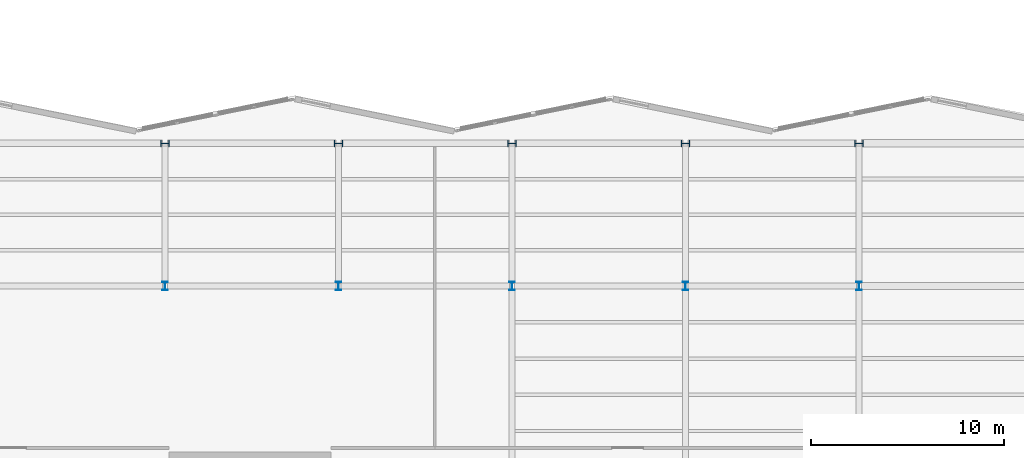
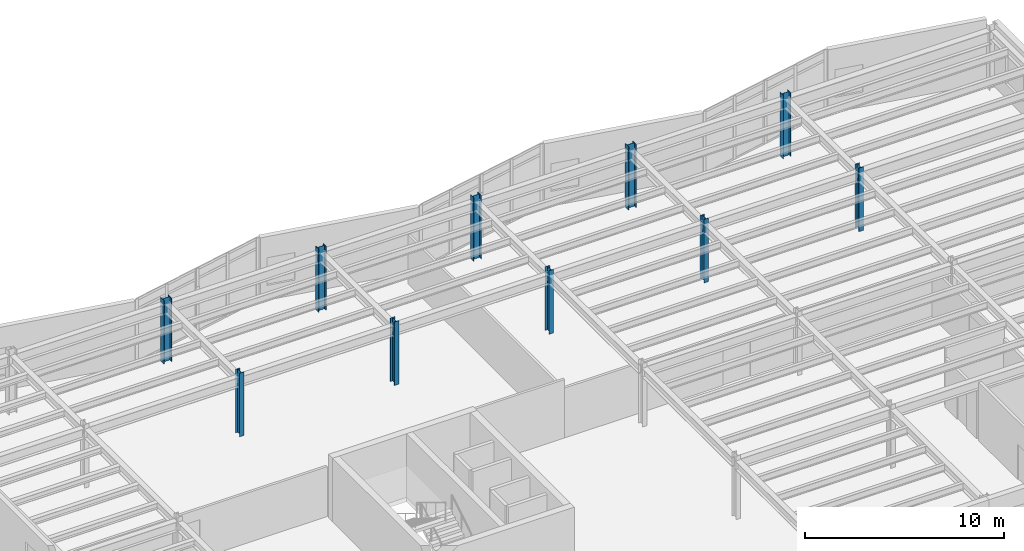
# One storey, part 6 of 46: 10 columns.
"""IFC4 building model written with IfcOpenShell, lengths in metres."""

from ifc_helpers import new_model, si_unit, direction, frame, origin, origin_2d, place, context, subcontext, project, spatial, i_section, extrude, material, material_profile, profile_set, type_object, element, save


model = new_model("IFC4")

# Units and contexts
model_context = context("Model", 3, precision=1e-05, world=origin(), true_north=direction((0.0, 1.0)))
body_context = subcontext(model_context, "Body", "Model", "MODEL_VIEW")
ifc_project = project(units=[si_unit("LENGTHUNIT", "METRE"), si_unit("AREAUNIT", "SQUARE_METRE"), si_unit("VOLUMEUNIT", "CUBIC_METRE"), si_unit("PLANEANGLEUNIT", "RADIAN"), si_unit("MASSUNIT", "GRAM", prefix="KILO")], contexts=[model_context])

# Site, building, storey
site_placement = place(None, origin())
site = spatial("IfcSite", under=ifc_project, at=site_placement, CompositionType="ELEMENT")
building_placement = place(site_placement, origin())
building = spatial("IfcBuilding", under=site, at=building_placement, Name="Sollismere Congress Hotel", CompositionType="ELEMENT")
storey_placement = place(building_placement, frame((0.0, 0.0, 19.5)))
storey = spatial("IfcBuildingStorey", under=building, at=storey_placement, Name="L04", CompositionType="ELEMENT", Elevation=19.5)

# Columns
ifc_material = material(Name="Steel ASTM A992 Grade 50", Category="steel")
ifc_material_profile_1 = material_profile(ifc_material, i_section(OverallWidth=0.330078125, OverallDepth=0.4599609375, WebThickness=0.016357421875, FlangeThickness=0.026123046875, at=origin_2d()), Name="W14X132")
ifc_profile_set_1 = profile_set([ifc_material_profile_1], Name="Steel ASTM A992 Grade 50")
column_type_1 = type_object("IfcColumnType", Name="COL-W14H", PredefinedType="COLUMN", material=ifc_profile_set_1)
for number, where, z_axis, x_axis, name in (
    (1, (76.0, 102.39990234375, 0.0), (0.0, 0.0, 1.0), (0.0, 1.0, 0.0), "Column CL-L04-1098"),
    (2, (85.0, 102.39990234375, 0.0), (0.0, 0.0, 1.0), (0.0, 1.0, 0.0), "Column CL-L04-1104"),
    (3, (94.0, 102.39990234375, 0.0), (0.0, 0.0, 1.0), (0.0, 1.0, 0.0), "Column CL-L04-1110"),
    (4, (103.0, 102.39990234375, 0.0), (0.0, 0.0, 1.0), (0.0, 1.0, 0.0), "Column CL-L04-1116"),
    (5, (112.0, 102.39990234375, 0.0), (0.0, 0.0, 1.0), (0.0, 1.0, 0.0), "Column CL-L04-1122"),
):
    element("IfcColumn", number, at=place(storey_placement, frame(where, z_axis=z_axis, x_axis=x_axis)), inside=storey, type_object=column_type_1, Name=name, PredefinedType="COLUMN", context=body_context, shape_type="SweptSolid", body=[
        extrude(i_section(OverallWidth=0.330078125, OverallDepth=0.4599609375, WebThickness=0.016357421875, FlangeThickness=0.026123046875, at=origin_2d()), origin(), (0.0, 0.0, 1.0), 3.89990234375),
    ])
ifc_material_profile_2 = material_profile(ifc_material, i_section(OverallWidth=0.261962890625, OverallDepth=0.4189453125, WebThickness=0.01171875, FlangeThickness=0.019287109375, at=origin_2d()), Name="W16X77")
ifc_profile_set_2 = profile_set([ifc_material_profile_2], Name="Steel ASTM A992 Grade 50")
column_type_2 = type_object("IfcColumnType", Name="COL-W16", PredefinedType="COLUMN", material=ifc_profile_set_2)
for number, where, z_axis, x_axis, name in (
    (6, (76.0, 95.0, 0.0), (0.0, 0.0, 1.0), (1.0, 0.0, 0.0), "Column CL-L04-389"),
    (7, (85.0, 95.0, 0.0), (0.0, 0.0, 1.0), (1.0, 0.0, 0.0), "Column CL-L04-448"),
    (8, (94.0, 95.0, 0.0), (0.0, 0.0, 1.0), (1.0, 0.0, 0.0), "Column CL-L04-506"),
    (9, (103.0, 95.0, 0.0), (0.0, 0.0, 1.0), (1.0, 0.0, 0.0), "Column CL-L04-564"),
    (10, (112.0, 95.0, 0.0), (0.0, 0.0, 1.0), (1.0, 0.0, 0.0), "Column CL-L04-642"),
):
    element("IfcColumn", number, at=place(storey_placement, frame(where, z_axis=z_axis, x_axis=x_axis)), inside=storey, type_object=column_type_2, Name=name, PredefinedType="COLUMN", context=body_context, shape_type="SweptSolid", body=[
        extrude(i_section(OverallWidth=0.261962890625, OverallDepth=0.4189453125, WebThickness=0.01171875, FlangeThickness=0.019287109375, at=origin_2d()), origin(), (0.0, 0.0, 1.0), 3.89990234375),
    ])

save(model, "model.ifc")
